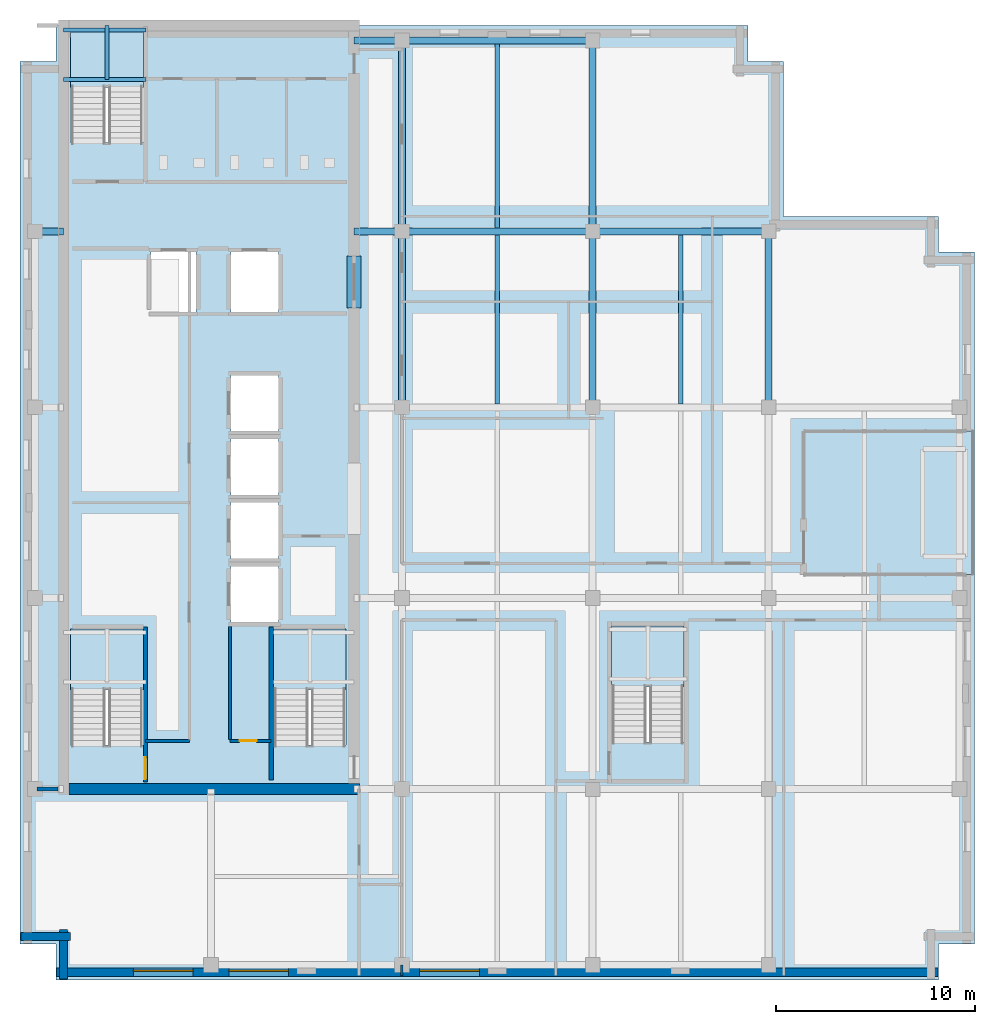
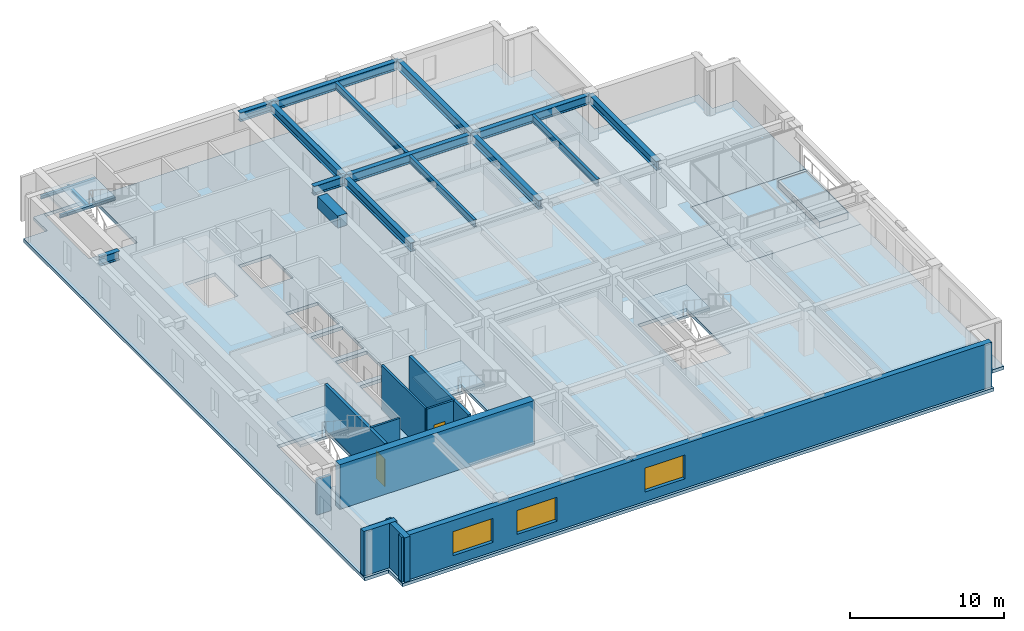
# One storey, part 2 of 13: 18 beams, 11 walls, 7 slabs, 3 windows, 2 doors, 5 openings, 4 elements without a shape of their own.
"""IFC4 building model written with IfcOpenShell, lengths in metres."""

from ifc_helpers import new_model, si_unit, direction, frame, frame_2d, origin, origin_2d, place, context, subcontext, project, spatial, polyline, rectangle, i_section, outline, extrude, material, layer, layer_set, material_profile, profile_set, type_object, element, fill, aggregate, save


model = new_model("IFC4")

# Units and contexts
model_context = context("Model", 3, precision=1e-05, world=origin(), true_north=direction((0.0, 1.0)))
body_context = subcontext(model_context, "Body", "Model", "MODEL_VIEW")
ifc_project = project(units=[si_unit("LENGTHUNIT", "METRE"), si_unit("AREAUNIT", "SQUARE_METRE"), si_unit("VOLUMEUNIT", "CUBIC_METRE"), si_unit("PLANEANGLEUNIT", "RADIAN"), si_unit("MASSUNIT", "GRAM", prefix="KILO")], contexts=[model_context])

# Site, building, storey
site_placement = place(None, origin())
site = spatial("IfcSite", under=ifc_project, at=site_placement, CompositionType="ELEMENT")
building_placement = place(site_placement, origin())
building = spatial("IfcBuilding", under=site, at=building_placement, Name="Norrvale University Quadrangle", CompositionType="ELEMENT")
storey_placement = place(building_placement, frame((0.0, 0.0, 277.199951171875)))
storey = spatial("IfcBuildingStorey", under=building, at=storey_placement, Name="L70", CompositionType="ELEMENT", Elevation=277.199951171875)

# Beams
ifc_material_1 = material(Name="Steel 350W", Category="steel")
ifc_material_profile_1 = material_profile(ifc_material_1, i_section(OverallWidth=0.35498046875, OverallDepth=0.695068359375, WebThickness=0.015380859375, FlangeThickness=0.02490234375, FilletRadius=0.01806640625, at=origin_2d()), Name="Steel 350W")
ifc_profile_set_1 = profile_set([ifc_material_profile_1], Name="Steel 350W")
beam_type_1 = type_object("IfcBeamType", Name="Beam Belt W690x217", PredefinedType="BEAM", material=ifc_profile_set_1)
beam_1_placement = place(storey_placement, frame((19.199951171875, 37.64990234375, 3.192626953125), z_axis=(1.0, 0.0, 0.0), x_axis=(0.0, 1.0, 0.0)))
element("IfcBeam", 1, at=beam_1_placement, inside=storey, type_object=beam_type_1, Name="Beam Belt W690x217 BM-L70-GX013", PredefinedType="BEAM", context=body_context, shape_type="SweptSolid", body=[
    extrude(i_section(OverallWidth=0.35498046875, OverallDepth=0.695068359375, WebThickness=0.015380859375, FlangeThickness=0.02490234375, FilletRadius=0.01806640625, at=origin_2d()), origin(), (0.0, 0.0, 1.0), 9.60009765625),
])
beam_2_placement = place(storey_placement, frame((28.800048828125, 37.64990234375, 3.192626953125), z_axis=(1.0, 0.0, 0.0), x_axis=(0.0, 1.0, 0.0)))
element("IfcBeam", 2, at=beam_2_placement, inside=storey, type_object=beam_type_1, Name="Beam Belt W690x217 BM-L70-GX014", PredefinedType="BEAM", context=body_context, shape_type="SweptSolid", body=[
    extrude(i_section(OverallWidth=0.35498046875, OverallDepth=0.695068359375, WebThickness=0.015380859375, FlangeThickness=0.02490234375, FilletRadius=0.01806640625, at=origin_2d()), origin(), (0.0, 0.0, 1.0), 8.849853515625),
])
beam_3_placement = place(storey_placement, frame((19.199951171875, 47.25, 3.192626953125), z_axis=(1.0, 0.0, 0.0), x_axis=(0.0, 1.0, 0.0)))
element("IfcBeam", 3, at=beam_3_placement, inside=storey, type_object=beam_type_1, Name="Beam Belt W690x217 BM-L70-GX015", PredefinedType="BEAM", context=body_context, shape_type="SweptSolid", body=[
    extrude(i_section(OverallWidth=0.35498046875, OverallDepth=0.695068359375, WebThickness=0.015380859375, FlangeThickness=0.02490234375, FilletRadius=0.01806640625, at=origin_2d()), origin(), (0.0, 0.0, 1.0), 9.60009765625),
])
beam_4_placement = place(storey_placement, frame((19.199951171875, 28.800048828125, 3.192626953125), z_axis=(0.0, 1.0, 0.0), x_axis=(-1.0, 0.0, 0.0)))
element("IfcBeam", 4, at=beam_4_placement, inside=storey, type_object=beam_type_1, Name="Beam Belt W690x217 BM-L70-GY022", PredefinedType="BEAM", context=body_context, shape_type="SweptSolid", body=[
    extrude(i_section(OverallWidth=0.35498046875, OverallDepth=0.695068359375, WebThickness=0.015380859375, FlangeThickness=0.02490234375, FilletRadius=0.01806640625, at=origin_2d()), origin(), (0.0, 0.0, 1.0), 8.849853515625),
])
beam_5_placement = place(storey_placement, frame((19.199951171875, 37.64990234375, 3.192626953125), z_axis=(0.0, 1.0, 0.0), x_axis=(-1.0, 0.0, 0.0)))
element("IfcBeam", 5, at=beam_5_placement, inside=storey, type_object=beam_type_1, Name="Beam Belt W690x217 BM-L70-GY023", PredefinedType="BEAM", context=body_context, shape_type="SweptSolid", body=[
    extrude(i_section(OverallWidth=0.35498046875, OverallDepth=0.695068359375, WebThickness=0.015380859375, FlangeThickness=0.02490234375, FilletRadius=0.01806640625, at=origin_2d()), origin(), (0.0, 0.0, 1.0), 9.60009765625),
])
beam_6_placement = place(storey_placement, frame((28.800048828125, 28.800048828125, 3.192626953125), z_axis=(0.0, 1.0, 0.0), x_axis=(-1.0, 0.0, 0.0)))
element("IfcBeam", 6, at=beam_6_placement, inside=storey, type_object=beam_type_1, Name="Beam Belt W690x217 BM-L70-GY027", PredefinedType="BEAM", context=body_context, shape_type="SweptSolid", body=[
    extrude(i_section(OverallWidth=0.35498046875, OverallDepth=0.695068359375, WebThickness=0.015380859375, FlangeThickness=0.02490234375, FilletRadius=0.01806640625, at=origin_2d()), origin(), (0.0, 0.0, 1.0), 8.849853515625),
])
beam_7_placement = place(storey_placement, frame((28.800048828125, 37.64990234375, 3.192626953125), z_axis=(0.0, 1.0, 0.0), x_axis=(-1.0, 0.0, 0.0)))
element("IfcBeam", 7, at=beam_7_placement, inside=storey, type_object=beam_type_1, Name="Beam Belt W690x217 BM-L70-GY028", PredefinedType="BEAM", context=body_context, shape_type="SweptSolid", body=[
    extrude(i_section(OverallWidth=0.35498046875, OverallDepth=0.695068359375, WebThickness=0.015380859375, FlangeThickness=0.02490234375, FilletRadius=0.01806640625, at=origin_2d()), origin(), (0.0, 0.0, 1.0), 9.60009765625),
])
beam_8_placement = place(storey_placement, frame((37.64990234375, 28.800048828125, 3.192626953125), z_axis=(0.0, 1.0, 0.0), x_axis=(-1.0, 0.0, 0.0)))
element("IfcBeam", 8, at=beam_8_placement, inside=storey, type_object=beam_type_1, Name="Beam Belt W690x217 BM-L70-GY032", PredefinedType="BEAM", context=body_context, shape_type="SweptSolid", body=[
    extrude(i_section(OverallWidth=0.35498046875, OverallDepth=0.695068359375, WebThickness=0.015380859375, FlangeThickness=0.02490234375, FilletRadius=0.01806640625, at=origin_2d()), origin(), (0.0, 0.0, 1.0), 8.849853515625),
])
beam_9_placement = place(storey_placement, frame((0.75, 37.64990234375, 3.192626953125), z_axis=(1.0, 0.0, 0.0), x_axis=(0.0, 1.0, 0.0)))
element("IfcBeam", 9, at=beam_9_placement, inside=storey, type_object=beam_type_1, Name="Beam Belt W690x217 BM-L70-GCW041", PredefinedType="BEAM", context=body_context, shape_type="SweptSolid", body=[
    extrude(i_section(OverallWidth=0.35498046875, OverallDepth=0.695068359375, WebThickness=0.015380859375, FlangeThickness=0.02490234375, FilletRadius=0.01806640625, at=origin_2d()), origin(), (0.0, 0.0, 1.0), 1.449951171875),
])
for number, where, z_axis, x_axis, name in (
    (10, (16.800048828125, 37.64990234375, 3.192626953125), (1.0, 0.0, 0.0), (0.0, 1.0, 0.0), "Beam Belt W690x217 BM-L70-GCE042"),
    (11, (16.800048828125, 47.25, 3.192626953125), (1.0, 0.0, 0.0), (0.0, 1.0, 0.0), "Beam Belt W690x217 BM-L70-GCE043"),
):
    element("IfcBeam", number, at=place(storey_placement, frame(where, z_axis=z_axis, x_axis=x_axis)), inside=storey, type_object=beam_type_1, Name=name, PredefinedType="BEAM", context=body_context, shape_type="SweptSolid", body=[
        extrude(i_section(OverallWidth=0.35498046875, OverallDepth=0.695068359375, WebThickness=0.015380859375, FlangeThickness=0.02490234375, FilletRadius=0.01806640625, at=origin_2d()), origin(), (0.0, 0.0, 1.0), 2.39990234375),
    ])
ifc_material_2 = material(Name="Concrete C80/95", Category="concrete")
ifc_material_profile_2 = material_profile(ifc_material_2, rectangle(XDim=0.699951171875, YDim=0.949951171875, at=origin_2d()), Name="Concrete C80/95")
ifc_profile_set_2 = profile_set([ifc_material_profile_2], Name="Concrete C80/95")
beam_type_2 = type_object("IfcBeamType", Name="Beam Core Link 700x950", PredefinedType="LINTEL", material=ifc_profile_set_2)
beam_10_placement = place(storey_placement, frame((16.800048828125, 33.800048828125, 3.06494140625), z_axis=(0.0, 1.0, 0.0), x_axis=(-1.0, 0.0, 0.0)))
element("IfcBeam", 12, at=beam_10_placement, inside=storey, type_object=beam_type_2, Name="Core Coupling Lintel Beam L70-2", PredefinedType="LINTEL", context=body_context, shape_type="SweptSolid", body=[
    extrude(rectangle(XDim=0.699951171875, YDim=0.949951171875, at=origin_2d()), origin(), (0.0, 0.0, 1.0), 2.599853515625),
])
ifc_material_profile_3 = material_profile(ifc_material_1, i_section(OverallWidth=0.2119140625, OverallDepth=0.5439453125, WebThickness=0.01318359375, FlangeThickness=0.021240234375, FilletRadius=0.013916015625, at=origin_2d()), Name="Steel 350W")
ifc_profile_set_3 = profile_set([ifc_material_profile_3], Name="Steel 350W")
beam_type_3 = type_object("IfcBeamType", Name="Beam Floor W530x123", PredefinedType="BEAM", material=ifc_profile_set_3)
beam_11_placement = place(storey_placement, frame((24.0, 28.9775390625, 3.26806640625), z_axis=(0.0, 1.0, 0.0), x_axis=(-1.0, 0.0, 0.0)))
element("IfcBeam", 13, at=beam_11_placement, inside=storey, type_object=beam_type_3, Name="Beam Floor W530x123 BM-L70-J047", PredefinedType="BEAM", context=body_context, shape_type="SweptSolid", body=[
    extrude(i_section(OverallWidth=0.2119140625, OverallDepth=0.5439453125, WebThickness=0.01318359375, FlangeThickness=0.021240234375, FilletRadius=0.013916015625, at=origin_2d()), origin(), (0.0, 0.0, 1.0), 8.494873046875),
])
beam_12_placement = place(storey_placement, frame((24.0, 37.827392578125, 3.26806640625), z_axis=(0.0, 1.0, 0.0), x_axis=(-1.0, 0.0, 0.0)))
element("IfcBeam", 14, at=beam_12_placement, inside=storey, type_object=beam_type_3, Name="Beam Floor W530x123 BM-L70-J048", PredefinedType="BEAM", context=body_context, shape_type="SweptSolid", body=[
    extrude(i_section(OverallWidth=0.2119140625, OverallDepth=0.5439453125, WebThickness=0.01318359375, FlangeThickness=0.021240234375, FilletRadius=0.013916015625, at=origin_2d()), origin(), (0.0, 0.0, 1.0), 9.2451171875),
])
beam_13_placement = place(storey_placement, frame((33.22509765625, 28.9775390625, 3.26806640625), z_axis=(0.0, 1.0, 0.0), x_axis=(-1.0, 0.0, 0.0)))
element("IfcBeam", 15, at=beam_13_placement, inside=storey, type_object=beam_type_3, Name="Beam Floor W530x123 BM-L70-J051", PredefinedType="BEAM", context=body_context, shape_type="SweptSolid", body=[
    extrude(i_section(OverallWidth=0.2119140625, OverallDepth=0.5439453125, WebThickness=0.01318359375, FlangeThickness=0.021240234375, FilletRadius=0.013916015625, at=origin_2d()), origin(), (0.0, 0.0, 1.0), 8.494873046875),
])
ifc_material_profile_4 = material_profile(ifc_material_1, i_section(OverallWidth=0.201904296875, OverallDepth=0.2470703125, WebThickness=0.00732421875, FlangeThickness=0.010986328125, FilletRadius=0.011962890625, at=origin_2d()), Name="Steel 350W")
ifc_profile_set_4 = profile_set([ifc_material_profile_4], Name="Steel 350W")
beam_type_4 = type_object("IfcBeamType", Name="Beam Stair W250x49", PredefinedType="BEAM", material=ifc_profile_set_4)
for number, where, z_axis, x_axis, name in (
    (16, (2.199951171875, 45.2900390625, 1.57666015625), (1.0, 0.0, 0.0), (0.0, 1.0, 0.0), "Stair Mid-Landing Front Beam ST-02 L70"),
    (17, (2.199951171875, 47.77001953125, 1.57666015625), (1.0, 0.0, 0.0), (0.0, 1.0, 0.0), "Stair Mid-Landing Rear Beam ST-02 L70"),
):
    element("IfcBeam", number, at=place(storey_placement, frame(where, z_axis=z_axis, x_axis=x_axis)), inside=storey, type_object=beam_type_4, Name=name, PredefinedType="BEAM", context=body_context, shape_type="SweptSolid", body=[
        extrude(i_section(OverallWidth=0.201904296875, OverallDepth=0.2470703125, WebThickness=0.00732421875, FlangeThickness=0.010986328125, FilletRadius=0.011962890625, at=origin_2d()), origin(), (0.0, 0.0, 1.0), 4.14013671875),
    ])
ifc_material_profile_5 = material_profile(ifc_material_1, i_section(OverallWidth=0.202880859375, OverallDepth=0.202880859375, WebThickness=0.007080078125, FlangeThickness=0.010986328125, FilletRadius=0.010009765625, at=origin_2d()), Name="Steel 350W")
ifc_profile_set_5 = profile_set([ifc_material_profile_5], Name="Steel 350W")
beam_type_5 = type_object("IfcBeamType", Name="Beam Trim W200x46", PredefinedType="BEAM", material=ifc_profile_set_5)
beam_14_placement = place(storey_placement, frame((4.375, 45.2900390625, 1.5986328125), z_axis=(0.0, 1.0, 0.0), x_axis=(-1.0, 0.0, 0.0)))
element("IfcBeam", 18, at=beam_14_placement, inside=storey, type_object=beam_type_5, Name="Stair Mid-Landing Cross Beam ST-02 L70", PredefinedType="BEAM", context=body_context, shape_type="SweptSolid", body=[
    extrude(i_section(OverallWidth=0.202880859375, OverallDepth=0.202880859375, WebThickness=0.007080078125, FlangeThickness=0.010986328125, FilletRadius=0.010009765625, at=origin_2d()), origin(), (0.0, 0.0, 1.0), 2.7099609375),
])

# Stair, slab
ifc_material_3 = material(Name="Concrete C40/50", Category="concrete")
stair_type = type_object("IfcStairType", Name="Stair Tower Typ 3800", PredefinedType="TWO_STRAIGHT_RUN_STAIR", material=ifc_material_3)
stair_1_placement = place(storey_placement, origin())
stair_1 = element("IfcStair", 19, at=stair_1_placement, inside=storey, type_object=stair_type, Name="Exit Stair ST-01 L70", PredefinedType="TWO_STRAIGHT_RUN_STAIR")
ifc_layer_1 = layer(ifc_material_3, 0.199951171875, Name="Concrete C40/50")
ifc_layer_set_1 = layer_set([ifc_layer_1], Name="Concrete C40/50")
slab_type_1 = type_object("IfcSlabType", Name="Slab Landing 200", PredefinedType="LANDING", material=ifc_layer_set_1)
slab_1_placement = place(storey_placement, frame((0.0, 0.0, 1.699951171875)))
slab_1 = element("IfcSlab", 20, at=slab_1_placement, type_object=slab_type_1, Name="Exit Stair ST-01 L70 Mid Landing", PredefinedType="LANDING", context=body_context, shape_type="SweptSolid", body=[
    extrude(outline(polyline([(2.550048828125, 14.590087890625), (6.199951171875, 14.590087890625), (6.199951171875, 17.64990234375), (2.550048828125, 17.64990234375), (2.550048828125, 14.590087890625)])), origin(), (0.0, 0.0, 1.0), 0.2001953125),
])
aggregate(stair_1, [slab_1])

stair_2_placement = place(storey_placement, origin())
stair_2 = element("IfcStair", 21, at=stair_2_placement, inside=storey, type_object=stair_type, Name="Exit Stair ST-02 L70", PredefinedType="TWO_STRAIGHT_RUN_STAIR")
slab_2_placement = place(storey_placement, frame((0.0, 0.0, 1.699951171875)))
slab_2 = element("IfcSlab", 22, at=slab_2_placement, type_object=slab_type_1, Name="Exit Stair ST-02 L70 Mid Landing", PredefinedType="LANDING", context=body_context, shape_type="SweptSolid", body=[
    extrude(outline(polyline([(2.550048828125, 44.889892578125), (6.199951171875, 44.889892578125), (6.199951171875, 47.949951171875), (2.550048828125, 47.949951171875), (2.550048828125, 44.889892578125)])), origin(), (0.0, 0.0, 1.0), 0.2001953125),
])
aggregate(stair_2, [slab_2])

stair_3_placement = place(storey_placement, origin())
stair_3 = element("IfcStair", 23, at=stair_3_placement, inside=storey, type_object=stair_type, Name="Exit Stair ST-03 L70", PredefinedType="TWO_STRAIGHT_RUN_STAIR")
slab_3_placement = place(storey_placement, frame((0.0, 0.0, 1.699951171875)))
slab_3 = element("IfcSlab", 24, at=slab_3_placement, type_object=slab_type_1, Name="Exit Stair ST-03 L70 Mid Landing", PredefinedType="LANDING", context=body_context, shape_type="SweptSolid", body=[
    extrude(outline(polyline([(12.75, 14.590087890625), (16.39990234375, 14.590087890625), (16.39990234375, 17.64990234375), (12.75, 17.64990234375), (12.75, 14.590087890625)])), origin(), (0.0, 0.0, 1.0), 0.2001953125),
])
aggregate(stair_3, [slab_3])

stair_4_placement = place(storey_placement, origin())
stair_4 = element("IfcStair", 25, at=stair_4_placement, inside=storey, type_object=stair_type, Name="Exit Stair ST-04 L70", PredefinedType="TWO_STRAIGHT_RUN_STAIR")
slab_4_placement = place(storey_placement, frame((0.0, 0.0, 1.699951171875)))
slab_4 = element("IfcSlab", 26, at=slab_4_placement, type_object=slab_type_1, Name="Exit Stair ST-04 L70 Mid Landing", PredefinedType="LANDING", context=body_context, shape_type="SweptSolid", body=[
    extrude(outline(polyline([(29.75, 14.739990234375), (33.39990234375, 14.739990234375), (33.39990234375, 17.800048828125), (29.75, 17.800048828125), (29.75, 14.739990234375)])), origin(), (0.0, 0.0, 1.0), 0.2001953125),
])
aggregate(stair_4, [slab_4])

# Slabs
ifc_material_4 = material(Name="Planted Soil Growing Medium")
ifc_layer_2 = layer(ifc_material_4, 0.570068359375, Name="Planted Soil Growing Medium")
ifc_layer_set_2 = layer_set([ifc_layer_2], Name="Planted Soil Growing Medium")
slab_type_2 = type_object("IfcSlabType", Name="Slab Planter Soil 550", PredefinedType="USERDEFINED", material=ifc_layer_set_2)
slab_5_placement = place(storey_placement, frame((0.0, 0.0, -0.02001953125)))
element("IfcSlab", 27, at=slab_5_placement, inside=storey, type_object=slab_type_2, Name="Sky Garden Planted Soil Bed L70", ObjectType="PLANTER", PredefinedType="USERDEFINED", context=body_context, shape_type="SweptSolid", body=[
    extrude(outline(polyline([(45.39990234375, 21.300048828125), (47.550048828125, 21.300048828125), (47.550048828125, 26.699951171875), (45.39990234375, 26.699951171875), (45.39990234375, 21.300048828125)])), origin(), (0.0, 0.0, 1.0), 0.570068359375),
])
ifc_material_5 = material(Name="Concrete C50/60", Category="concrete")
ifc_layer_3 = layer(ifc_material_5, 0.300048828125, Name="Concrete C50/60")
ifc_layer_set_3 = layer_set([ifc_layer_3], Name="Concrete C50/60")
slab_type_3 = type_object("IfcSlabType", Name="Slab Sky Garden 300", PredefinedType="ROOF", material=ifc_layer_set_3)
slab_6_placement = place(storey_placement, frame((0.0, 0.0, -0.300048828125)))
element("IfcSlab", 28, at=slab_6_placement, inside=storey, type_object=slab_type_3, Name="Planted Sky Garden Terrace Slab L70", PredefinedType="ROOF", context=body_context, shape_type="SweptSolid", body=[
    extrude(outline(polyline([(39.39990234375, 20.39990234375), (48.0, 20.39990234375), (48.0, 27.60009765625), (39.39990234375, 27.60009765625), (39.39990234375, 20.39990234375)])), origin(), (0.0, 0.0, 1.0), 0.300048828125),
])
ifc_layer_4 = layer(ifc_material_3, 0.260009765625, Name="Concrete C40/50")
ifc_layer_set_4 = layer_set([ifc_layer_4], Name="Concrete C40/50")
slab_type_4 = type_object("IfcSlabType", Name="Slab Tower Typ 260", PredefinedType="FLOOR", material=ifc_layer_set_4)
slab_7_placement = place(storey_placement, frame((0.0, 0.0, -0.260009765625)))
element("IfcSlab", 29, at=slab_7_placement, inside=storey, type_object=slab_type_4, Name="Tower L70 Floor Slab", PredefinedType="FLOOR", context=body_context, shape_type="SweptSolid", body=[
    extrude(outline(polyline([(48.0, 1.800048828125), (46.199951171875, 1.800048828125), (46.199951171875, 0.0), (1.800048828125, 0.0), (1.800048828125, 1.800048828125), (0.0, 1.800048828125), (0.0, 46.199951171875), (1.800048828125, 46.199951171875), (1.800048828125, 48.0), (36.60009765625, 48.0), (36.60009765625, 46.199951171875), (38.39990234375, 46.199951171875), (38.39990234375, 38.39990234375), (46.199951171875, 38.39990234375), (46.199951171875, 36.60009765625), (48.0, 36.60009765625), (48.0, 27.60009765625), (39.39990234375, 27.60009765625), (39.39990234375, 20.39990234375), (48.0, 20.39990234375), (48.0, 1.800048828125)]), holes=[polyline([(2.550048828125, 11.81005859375), (6.199951171875, 11.81005859375), (6.199951171875, 17.64990234375), (2.550048828125, 17.64990234375), (2.550048828125, 11.81005859375)]), polyline([(2.550048828125, 42.110107421875), (6.199951171875, 42.110107421875), (6.199951171875, 47.949951171875), (2.550048828125, 47.949951171875), (2.550048828125, 42.110107421875)]), polyline([(12.75, 11.81005859375), (16.39990234375, 11.81005859375), (16.39990234375, 17.64990234375), (12.75, 17.64990234375), (12.75, 11.81005859375)]), polyline([(29.75, 11.9599609375), (33.39990234375, 11.9599609375), (33.39990234375, 17.800048828125), (29.75, 17.800048828125), (29.75, 11.9599609375)]), polyline([(10.60009765625, 18.0), (13.0, 18.0), (13.0, 20.800048828125), (10.60009765625, 20.800048828125), (10.60009765625, 18.0)]), polyline([(10.60009765625, 21.199951171875), (13.0, 21.199951171875), (13.0, 24.0), (10.60009765625, 24.0), (10.60009765625, 21.199951171875)]), polyline([(10.60009765625, 24.39990234375), (13.0, 24.39990234375), (13.0, 27.199951171875), (10.60009765625, 27.199951171875), (10.60009765625, 24.39990234375)]), polyline([(10.60009765625, 27.60009765625), (13.0, 27.60009765625), (13.0, 30.39990234375), (10.60009765625, 30.39990234375), (10.60009765625, 27.60009765625)]), polyline([(6.60009765625, 33.60009765625), (8.85009765625, 33.60009765625), (8.85009765625, 36.60009765625), (6.60009765625, 36.60009765625), (6.60009765625, 33.60009765625)]), polyline([(10.60009765625, 33.60009765625), (13.0, 33.60009765625), (13.0, 36.60009765625), (10.60009765625, 36.60009765625), (10.60009765625, 33.60009765625)])]), origin(), (0.0, 0.0, 1.0), 0.260009765625),
])

# Wall, openings, windows
ifc_material_6 = material(Name="Buff Norman Clay Brick Masonry", Category="masonry")
ifc_layer_5 = layer(ifc_material_6, 0.419921875, Name="Buff Norman Clay Brick Masonry")
ifc_layer_set_5 = layer_set([ifc_layer_5], Name="Buff Norman Clay Brick Masonry")
wall_type_1 = type_object("IfcWallType", Name="Wall Buff Brick 420", PredefinedType="SOLIDWALL", material=ifc_layer_set_5)
wall_1_placement = place(storey_placement, frame((1.840087890625, 0.389892578125, 0.0), z_axis=(0.0, 0.0, 1.0), x_axis=(1.0, 0.0, 0.0)))
wall_1 = element("IfcWall", 30, at=wall_1_placement, inside=storey, type_object=wall_type_1, Name="Exterior Brick Facade Wall L70-01.1", PredefinedType="SOLIDWALL", context=body_context, shape_type="SweptSolid", body=[
    extrude(rectangle(XDim=44.31982421875, YDim=0.419921875, at=frame_2d((22.159912109375, 0.0))), origin(), (0.0, 0.0, 1.0), 3.5400390625),
])
opening_1_placement = place(wall_1_placement, frame((3.860107421875, 0.0, 0.75)))
opening_1 = element("IfcOpeningElement", 31, at=opening_1_placement, cuts=wall_1, Name="Opening W08", PredefinedType="OPENING", context=body_context, shape_type="SweptSolid", body=[
    extrude(rectangle(XDim=3.0, YDim=1.89990234375, at=frame_2d((1.5, 0.949951171875))), frame((0.0, 0.221923828125, 0.0), z_axis=(0.0, -1.0, 0.0), x_axis=(1.0, 0.0, 0.0)), (0.0, 0.0, 1.0), 0.44384765625),
])
opening_2_placement = place(wall_1_placement, frame((8.659912109375, 0.0, 0.75)))
opening_2 = element("IfcOpeningElement", 32, at=opening_2_placement, cuts=wall_1, Name="Opening W08", PredefinedType="OPENING", context=body_context, shape_type="SweptSolid", body=[
    extrude(rectangle(XDim=3.0, YDim=1.89990234375, at=frame_2d((1.5, 0.949951171875))), frame((0.0, 0.221923828125, 0.0), z_axis=(0.0, -1.0, 0.0), x_axis=(1.0, 0.0, 0.0)), (0.0, 0.0, 1.0), 0.44384765625),
])
opening_3_placement = place(wall_1_placement, frame((18.260009765625, 0.0, 0.75)))
opening_3 = element("IfcOpeningElement", 33, at=opening_3_placement, cuts=wall_1, Name="Opening W08", PredefinedType="OPENING", context=body_context, shape_type="SweptSolid", body=[
    extrude(rectangle(XDim=3.0, YDim=1.89990234375, at=frame_2d((1.5, 0.949951171875))), frame((0.0, 0.221923828125, 0.0), z_axis=(0.0, -1.0, 0.0), x_axis=(1.0, 0.0, 0.0)), (0.0, 0.0, 1.0), 0.44384765625),
])
ifc_material_7 = material(Name="Triple Low-E Argon Glazing", Category="glass")
window_type = type_object("IfcWindowType", Name="Window Lounge 3000x2500", PartitioningType="TRIPLE_PANEL_VERTICAL", PredefinedType="WINDOW", material=ifc_material_7)
window_1_placement = place(opening_1_placement, origin())
window_1 = element("IfcWindow", 34, at=window_1_placement, inside=storey, type_object=window_type, Name="Window Lounge 3000x2500 WIN-L70-E01-1-01", OverallHeight=1.89990234375, OverallWidth=3.0, PartitioningType="TRIPLE_PANEL_VERTICAL", PredefinedType="WINDOW", context=body_context, shape_type="SweptSolid", body=[
    extrude(rectangle(XDim=3.0, YDim=1.89990234375, at=frame_2d((1.5, 0.949951171875))), frame((0.0, 0.110107421875, 0.0), z_axis=(0.0, -1.0, 0.0), x_axis=(1.0, 0.0, 0.0)), (0.0, 0.0, 1.0), 0.06005859375),
])
fill(opening_1, window_1)
window_2_placement = place(opening_2_placement, origin())
window_2 = element("IfcWindow", 35, at=window_2_placement, inside=storey, type_object=window_type, Name="Window Lounge 3000x2500 WIN-L70-E01-1-02", OverallHeight=1.89990234375, OverallWidth=3.0, PartitioningType="TRIPLE_PANEL_VERTICAL", PredefinedType="WINDOW", context=body_context, shape_type="SweptSolid", body=[
    extrude(rectangle(XDim=3.0, YDim=1.89990234375, at=frame_2d((1.5, 0.949951171875))), frame((0.0, 0.110107421875, 0.0), z_axis=(0.0, -1.0, 0.0), x_axis=(1.0, 0.0, 0.0)), (0.0, 0.0, 1.0), 0.06005859375),
])
fill(opening_2, window_2)
window_3_placement = place(opening_3_placement, origin())
window_3 = element("IfcWindow", 36, at=window_3_placement, inside=storey, type_object=window_type, Name="Window Lounge 3000x2500 WIN-L70-E01-1-03", OverallHeight=1.89990234375, OverallWidth=3.0, PartitioningType="TRIPLE_PANEL_VERTICAL", PredefinedType="WINDOW", context=body_context, shape_type="SweptSolid", body=[
    extrude(rectangle(XDim=3.0, YDim=1.89990234375, at=frame_2d((1.5, 0.949951171875))), frame((0.0, 0.110107421875, 0.0), z_axis=(0.0, -1.0, 0.0), x_axis=(1.0, 0.0, 0.0)), (0.0, 0.0, 1.0), 0.06005859375),
])
fill(opening_3, window_3)

# Walls
for number, where, z_axis, x_axis, name in (
    (37, (0.0400390625, 2.18994140625, 0.0), (0.0, 0.0, 1.0), (1.0, 0.0, 0.0), "Exterior Brick Facade Wall L70-15.1"),
    (38, (2.18994140625, 2.5400390625, 0.0), (0.0, 0.0, 1.0), (0.0, -1.0, 0.0), "Exterior Brick Facade Wall L70-16.1"),
):
    element("IfcWall", number, at=place(storey_placement, frame(where, z_axis=z_axis, x_axis=x_axis)), inside=storey, type_object=wall_type_1, Name=name, PredefinedType="SOLIDWALL", context=body_context, shape_type="SweptSolid", body=[
        extrude(rectangle(XDim=2.5, YDim=0.419921875, at=frame_2d((1.25, 0.0))), origin(), (0.0, 0.0, 1.0), 3.5400390625),
    ])
ifc_material_8 = material(Name="Concrete C60/75", Category="concrete")
ifc_layer_6 = layer(ifc_material_8, 0.550048828125, Name="Concrete C60/75")
ifc_layer_set_6 = layer_set([ifc_layer_6], Name="Concrete C60/75")
wall_type_2 = type_object("IfcWallType", Name="Wall Core 550", PredefinedType="SHEAR", material=ifc_layer_set_6)
wall_2_placement = place(storey_placement, frame((2.47509765625, 9.60009765625, 0.0), z_axis=(0.0, 0.0, 1.0), x_axis=(1.0, 0.0, 0.0)))
element("IfcWall", 39, at=wall_2_placement, inside=storey, type_object=wall_type_2, Name="Tower Core Shear Wall L70-S", PredefinedType="SHEAR", context=body_context, shape_type="SweptSolid", body=[
    extrude(rectangle(XDim=14.599853515625, YDim=0.550048828125, at=frame_2d((7.2998046875, 0.0))), origin(), (0.0, 0.0, 1.0), 3.5400390625),
])
ifc_material_9 = material(Name="Standard Academic Gypsum Partition")
ifc_layer_7 = layer(ifc_material_9, 0.125, Name="Standard Academic Gypsum Partition")
ifc_layer_set_7 = layer_set([ifc_layer_7], Name="Standard Academic Gypsum Partition")
wall_type_3 = type_object("IfcWallType", Name="Wall Gypsum Academic 125", PredefinedType="PARTITIONING", material=ifc_layer_set_7)
wall_3_placement = place(storey_placement, frame((19.199951171875, 0.219970703125, 0.0), z_axis=(0.0, 0.0, 1.0), x_axis=(0.0, 1.0, 0.0)))
element("IfcWall", 40, at=wall_3_placement, inside=storey, type_object=wall_type_3, Name="Interior Partition WL-L70-SE-W0", PredefinedType="PARTITIONING", context=body_context, shape_type="SweptSolid", body=[
    extrude(rectangle(XDim=0.530029296875, YDim=0.125, at=frame_2d((0.26513671875, 0.0))), origin(), (0.0, 0.0, 1.0), 3.5400390625),
])

# Wall, opening, door
ifc_material_10 = material(Name="Fire-Rated Gypsum Stud Partition")
ifc_layer_8 = layer(ifc_material_10, 0.14990234375, Name="Fire-Rated Gypsum Stud Partition")
ifc_layer_set_8 = layer_set([ifc_layer_8], Name="Fire-Rated Gypsum Stud Partition")
wall_type_4 = type_object("IfcWallType", Name="Wall Gypsum Corridor 150", PredefinedType="PARTITIONING", material=ifc_layer_set_8)
wall_4_placement = place(storey_placement, frame((10.550048828125, 12.02001953125, 0.0), z_axis=(0.0, 0.0, 1.0), x_axis=(1.0, 0.0, 0.0)))
wall_4 = element("IfcWall", 41, at=wall_4_placement, inside=storey, type_object=wall_type_4, Name="Interior Partition WL-L70-SC-NR", PredefinedType="PARTITIONING", context=body_context, shape_type="SweptSolid", body=[
    extrude(rectangle(XDim=2.079833984375, YDim=0.14990234375, at=frame_2d((1.0400390625, 0.0))), origin(), (0.0, 0.0, 1.0), 3.5400390625),
])
opening_4_placement = place(wall_4_placement, frame((0.5, 0.0, 0.0)))
opening_4 = element("IfcOpeningElement", 42, at=opening_4_placement, cuts=wall_4, Name="Opening D10", PredefinedType="OPENING", context=body_context, shape_type="SweptSolid", body=[
    extrude(rectangle(XDim=0.85009765625, YDim=2.10009765625, at=frame_2d((0.425048828125, 1.050048828125))), frame((0.0, 0.0869140625, 0.0), z_axis=(0.0, -1.0, 0.0), x_axis=(1.0, 0.0, 0.0)), (0.0, 0.0, 1.0), 0.173828125),
])
ifc_material_11 = material(Name="Hollow Steel 350W Riser Fire Door", Category="steel")
door_type_1 = type_object("IfcDoorType", Name="Door Riser 850x2100", OperationType="NOTDEFINED", PredefinedType="DOOR", material=ifc_material_11)
door_1_placement = place(opening_4_placement, origin())
door_1 = element("IfcDoor", 43, at=door_1_placement, inside=storey, type_object=door_type_1, Name="Door Riser 850x2100 DR-L70-IDF", OperationType="SINGLE_SWING_RIGHT", OverallHeight=2.10009765625, OverallWidth=0.85009765625, PredefinedType="DOOR", context=body_context, shape_type="SweptSolid", body=[
    extrude(rectangle(XDim=0.85009765625, YDim=2.10009765625, at=frame_2d((0.425048828125, 1.050048828125))), frame((0.0, 0.02490234375, 0.0), z_axis=(0.0, -1.0, 0.0), x_axis=(1.0, 0.0, 0.0)), (0.0, 0.0, 1.0), 0.050048828125),
])
fill(opening_4, door_1)

# Walls
wall_5_placement = place(storey_placement, frame((10.550048828125, 12.094970703125, 0.0), z_axis=(0.0, 0.0, 1.0), x_axis=(0.0, 1.0, 0.0)))
element("IfcWall", 44, at=wall_5_placement, inside=storey, type_object=wall_type_4, Name="Interior Partition WL-L70-SC-WR", PredefinedType="PARTITIONING", context=body_context, shape_type="SweptSolid", body=[
    extrude(rectangle(XDim=5.679931640625, YDim=0.14990234375, at=frame_2d((2.83984375, 0.0))), origin(), (0.0, 0.0, 1.0), 3.5400390625),
])
wall_6_placement = place(storey_placement, frame((6.320068359375, 12.02001953125, 0.0), z_axis=(0.0, 0.0, 1.0), x_axis=(1.0, 0.0, 0.0)))
element("IfcWall", 45, at=wall_6_placement, inside=storey, type_object=wall_type_4, Name="Interior Partition WL-L70-REC-S", PredefinedType="PARTITIONING", context=body_context, shape_type="SweptSolid", body=[
    extrude(rectangle(XDim=2.199951171875, YDim=0.14990234375, at=frame_2d((1.10009765625, 0.0))), origin(), (0.0, 0.0, 1.0), 3.5400390625),
])
ifc_material_12 = material(Name="Concrete Blockwork 20 MPa Rated Wall", Category="masonry")
ifc_layer_9 = layer(ifc_material_12, 0.199951171875, Name="Concrete Blockwork 20 MPa Rated Wall")
ifc_layer_set_9 = layer_set([ifc_layer_9], Name="Concrete Blockwork 20 MPa Rated Wall")
wall_type_5 = type_object("IfcWallType", Name="Wall Lobby 200", PredefinedType="SOLIDWALL", material=ifc_layer_set_9)
wall_7_placement = place(storey_placement, frame((0.85009765625, 9.60009765625, 0.0), z_axis=(0.0, 0.0, 1.0), x_axis=(1.0, 0.0, 0.0)))
element("IfcWall", 46, at=wall_7_placement, inside=storey, type_object=wall_type_5, Name="Interior Partition WL-L70-CWRET-S", PredefinedType="SOLIDWALL", context=body_context, shape_type="SweptSolid", body=[
    extrude(rectangle(XDim=1.06982421875, YDim=0.199951171875, at=frame_2d((0.534912109375, 0.0))), origin(), (0.0, 0.0, 1.0), 2.844970703125),
])

# Wall, opening, door
ifc_material_13 = material(Name="Concrete Blockwork 20 MPa Fire Shaft", Category="masonry")
ifc_layer_10 = layer(ifc_material_13, 0.219970703125, Name="Concrete Blockwork 20 MPa Fire Shaft")
ifc_layer_set_10 = layer_set([ifc_layer_10], Name="Concrete Blockwork 20 MPa Fire Shaft")
wall_type_6 = type_object("IfcWallType", Name="Wall Shaft 220", PredefinedType="SOLIDWALL", material=ifc_layer_set_10)
wall_8_placement = place(storey_placement, frame((6.31005859375, 9.949951171875, 0.0), z_axis=(0.0, 0.0, 1.0), x_axis=(0.0, 1.0, 0.0)))
wall_8 = element("IfcWall", 47, at=wall_8_placement, inside=storey, type_object=wall_type_6, Name="Stair ST-01 East Shaft Wall L70", PredefinedType="SOLIDWALL", context=body_context, shape_type="SweptSolid", body=[
    extrude(rectangle(XDim=7.81005859375, YDim=0.219970703125, at=frame_2d((3.905029296875, 0.0))), origin(), (0.0, 0.0, 1.0), 3.5400390625),
])
opening_5_placement = place(wall_8_placement, frame((0.139892578125, 0.0, 0.0)))
opening_5 = element("IfcOpeningElement", 48, at=opening_5_placement, cuts=wall_8, Name="Opening D02", PredefinedType="OPENING", context=body_context, shape_type="SweptSolid", body=[
    extrude(rectangle(XDim=1.10009765625, YDim=2.199951171875, at=frame_2d((0.550048828125, 1.10009765625))), frame((0.0, 0.1220703125, 0.0), z_axis=(0.0, -1.0, 0.0), x_axis=(1.0, 0.0, 0.0)), (0.0, 0.0, 1.0), 0.243896484375),
])
ifc_material_14 = material(Name="Hollow Steel 350W Fire Door", Category="steel")
door_type_2 = type_object("IfcDoorType", Name="Door Stair Exit 1100x2200", OperationType="NOTDEFINED", PredefinedType="DOOR", material=ifc_material_14)
door_2_placement = place(opening_5_placement, origin())
door_2 = element("IfcDoor", 49, at=door_2_placement, inside=storey, type_object=door_type_2, Name="Door Stair Exit 1100x2200 DR-L70-ST01", OperationType="SINGLE_SWING_LEFT", OverallHeight=2.199951171875, OverallWidth=1.10009765625, PredefinedType="DOOR", context=body_context, shape_type="SweptSolid", body=[
    extrude(rectangle(XDim=1.10009765625, YDim=2.199951171875, at=frame_2d((0.550048828125, 1.10009765625))), frame((0.0, 0.02490234375, 0.0), z_axis=(0.0, -1.0, 0.0), x_axis=(1.0, 0.0, 0.0)), (0.0, 0.0, 1.0), 0.050048828125),
])
fill(opening_5, door_2)

# Wall
wall_9_placement = place(storey_placement, frame((12.639892578125, 10.050048828125, 0.0), z_axis=(0.0, 0.0, 1.0), x_axis=(0.0, 1.0, 0.0)))
element("IfcWall", 50, at=wall_9_placement, inside=storey, type_object=wall_type_6, Name="Stair ST-03 West Shaft Wall L70", PredefinedType="SOLIDWALL", context=body_context, shape_type="SweptSolid", body=[
    extrude(rectangle(XDim=7.7099609375, YDim=0.219970703125, at=frame_2d((3.85498046875, 0.0))), origin(), (0.0, 0.0, 1.0), 3.5400390625),
])

save(model, "model.ifc")
